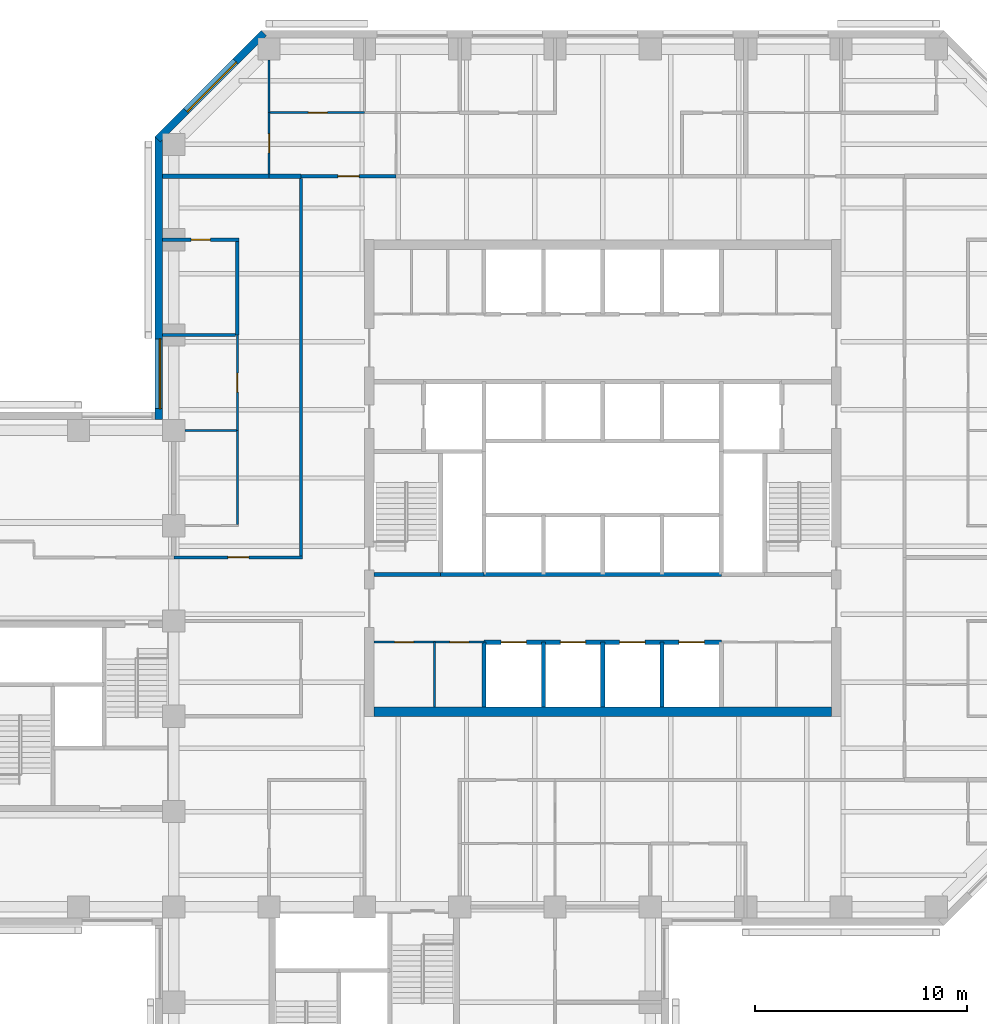
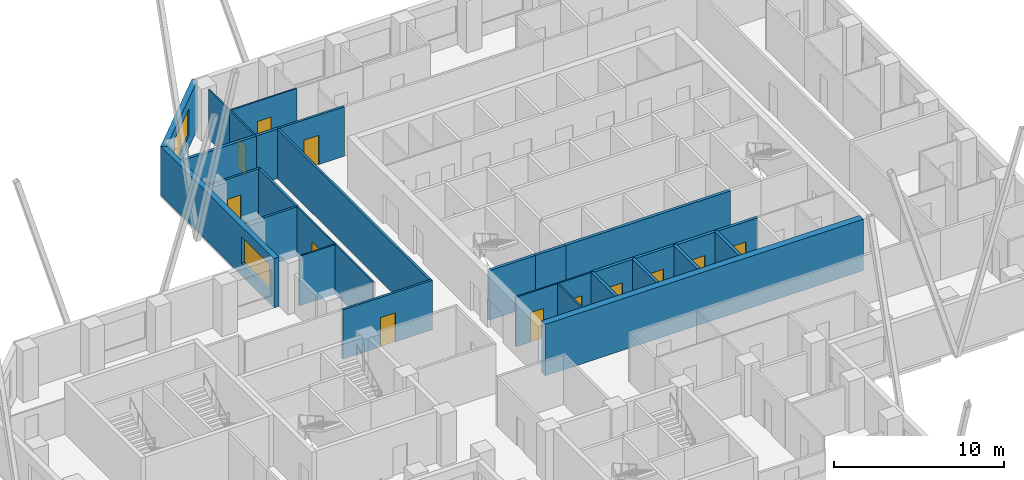
# One storey, part 6 of 11: 27 walls, 12 doors, 2 windows, 14 openings.
"""IFC4 building model written with IfcOpenShell, lengths in metres."""

import ifcopenshell
import ifcopenshell.guid

model = None  # the IFC model being written
_history = None  # IfcOwnerHistory: only IFC2X3 demands one
_inside = {}  # id of a spatial element -> (the spatial element, [elements in it])
_under = {}  # id of a project, library or spatial element -> (it, [spatial elements below it])
_declared = {}  # id of a project -> (the project, [libraries it declares])
_typed = {}  # id of a type object -> (the type object, [elements of that type])
_made_of = {}  # id of a material, layer set ... -> (it, [elements and type objects made of it])


def new_model(schema):
    """Start an empty IFC model of exactly this schema.

    Asked for "IFC4X3", IfcOpenShell would pick the latest addendum, in which some entities
    have other attributes; the version numbers below select the first issue.
    IFC2X3 requires an IfcOwnerHistory on every rooted entity: one is made here for all.
    """
    global model, _history
    if schema == "IFC4X3":
        model = ifcopenshell.file(schema_version=(4, 3, 0, 0))
    else:
        model = ifcopenshell.file(schema=schema)
    _inside.clear()
    _under.clear()
    _declared.clear()
    _typed.clear()
    _made_of.clear()
    _history = None
    if model.schema == "IFC2X3":
        org = make("IfcOrganization", Name="unknown")
        user = make(
            "IfcPersonAndOrganization",
            ThePerson=make("IfcPerson", FamilyName="unknown"),
            TheOrganization=org,
        )
        app = make(
            "IfcApplication",
            ApplicationDeveloper=org,
            Version="unknown",
            ApplicationFullName="unknown",
            ApplicationIdentifier="unknown",
        )
        _history = make(
            "IfcOwnerHistory",
            OwningUser=user,
            OwningApplication=app,
            ChangeAction="ADDED",
            CreationDate=0,
        )
    return model


def make(cls, **values):
    """One entity of the class cls with the attributes given. An attribute that is None is left unset."""
    return model.create_entity(
        cls, **{name: value for name, value in values.items() if value is not None}
    )


def rooted(cls, **values):
    """An entity with a GlobalId (a new one), such as an element, a storey or a relation."""
    return make(cls, GlobalId=ifcopenshell.guid.new(), OwnerHistory=_history, **values)


def si_unit(unit_type, name, prefix=None):
    """IfcSIUnit, for example si_unit("LENGTHUNIT", "METRE", prefix="MILLI")."""
    return make("IfcSIUnit", UnitType=unit_type, Prefix=prefix, Name=name)


def assignment(units):
    """IfcUnitAssignment: the units of a project."""
    return None if units is None else make("IfcUnitAssignment", Units=units)


def point(xyz):
    """IfcCartesianPoint."""
    return None if xyz is None else make("IfcCartesianPoint", Coordinates=xyz)


def direction(xyz):
    """IfcDirection."""
    return None if xyz is None else make("IfcDirection", DirectionRatios=xyz)


def frame(location, z_axis=None, x_axis=None):
    """IfcAxis2Placement3D, a coordinate frame: its origin and axes. An axis left out is left unset."""
    return make(
        "IfcAxis2Placement3D",
        Location=point(location),
        Axis=direction(z_axis),
        RefDirection=direction(x_axis),
    )


def frame_2d(location, x_axis=None):
    """IfcAxis2Placement2D, a coordinate frame in the plane: its origin and x axis."""
    return make(
        "IfcAxis2Placement2D", Location=point(location), RefDirection=direction(x_axis)
    )


def origin():
    """The frame at (0, 0, 0) with its axes left unset."""
    return frame((0.0, 0.0, 0.0))


def place(relative_to, where):
    """IfcLocalPlacement: puts the frame where relative to a parent placement (None: the world)."""
    return make(
        "IfcLocalPlacement", PlacementRelTo=relative_to, RelativePlacement=where
    )


def context(
    kind, dimensions, precision=None, world=None, true_north=None, identifier=None
):
    """IfcGeometricRepresentationContext, for example the 3D "Model" context."""
    return make(
        "IfcGeometricRepresentationContext",
        ContextIdentifier=identifier,
        ContextType=kind,
        CoordinateSpaceDimension=dimensions,
        Precision=precision,
        WorldCoordinateSystem=world,
        TrueNorth=true_north,
    )


def subcontext(parent, identifier, kind, view, scale=None):
    """IfcGeometricRepresentationSubContext, for example "Body" below "Model"."""
    return make(
        "IfcGeometricRepresentationSubContext",
        ContextIdentifier=identifier,
        ContextType=kind,
        ParentContext=parent,
        TargetScale=scale,
        TargetView=view,
    )


def project(units=None, contexts=None):
    """IfcProject with its units and contexts."""
    return rooted(
        "IfcProject",
        Name="project",
        RepresentationContexts=contexts,
        UnitsInContext=assignment(units),
    )


def spatial(cls, under=None, at=None, **own):
    """A site, building, storey or space (cls), placed at a placement, below another one or the project."""
    s = rooted(cls, ObjectPlacement=at, **own)
    if under is not None:
        _under.setdefault(under.id(), (under, []))[1].append(s)
    return s


def profile(cls, at=None, kind="AREA", **sizes):
    """A parametric profile (cls). Its sizes go by their IFC names, for example OverallWidth=200.0."""
    return make(cls, ProfileType=kind, Position=at, **sizes)


def rectangle(**sizes):
    """IfcRectangleProfileDef."""
    return profile("IfcRectangleProfileDef", **sizes)


def extrude(swept, where, along, depth):
    """IfcExtrudedAreaSolid: the profile swept, set in the frame where, extruded along a direction by depth."""
    return make(
        "IfcExtrudedAreaSolid",
        SweptArea=swept,
        Position=where,
        ExtrudedDirection=direction(along),
        Depth=depth,
    )


def shape(context_of_items, identifier, shape_type, items):
    """IfcShapeRepresentation: the items that make up one representation, for example the "Body"."""
    return make(
        "IfcShapeRepresentation",
        ContextOfItems=context_of_items,
        RepresentationIdentifier=identifier,
        RepresentationType=shape_type,
        Items=items,
    )


def material(Name=None, Category=None):
    """IfcMaterial."""
    return make("IfcMaterial", Name=Name, Category=Category)


def layer(
    of_material, thickness, ventilated=None, Name=None, Category=None, Priority=None
):
    """IfcMaterialLayer: one layer of a wall or slab, of a material (None: an air gap)."""
    return make(
        "IfcMaterialLayer",
        Material=of_material,
        LayerThickness=thickness,
        IsVentilated=ventilated,
        Name=Name,
        Category=Category,
        Priority=Priority,
    )


def layer_set(layers, Name=None):
    """IfcMaterialLayerSet."""
    return make("IfcMaterialLayerSet", MaterialLayers=layers, LayerSetName=Name)


def constituent(of_material, Name=None, Category=None, fraction=None):
    """IfcMaterialConstituent: one of the materials an element consists of."""
    return make(
        "IfcMaterialConstituent",
        Name=Name,
        Material=of_material,
        Fraction=fraction,
        Category=Category,
    )


def constituent_set(constituents=None, Name=None):
    """IfcMaterialConstituentSet."""
    return make(
        "IfcMaterialConstituentSet", Name=Name, MaterialConstituents=constituents
    )


def made_of(thing, what):
    """Note that an element or type object is made of a material, layer set ...; save() writes the relation."""
    if what is not None:
        _made_of.setdefault(what.id(), (what, []))[1].append(thing)
    return thing


def type_object(cls, material=None, **own):
    """A type object (cls), such as IfcWallType, which elements share."""
    return made_of(rooted(cls, **own), material)


def element(
    cls,
    number,
    at=None,
    inside=None,
    cuts=None,
    type_object=None,
    material=None,
    context=None,
    identifier="Body",
    shape_type=None,
    held_by="IfcProductDefinitionShape",
    body=None,
    shapes=None,
    **own,
):
    """One element of the class cls, such as IfcWall. Its Tag is "e" and its number.

    at: its placement. inside: the storey or other place that contains it. cuts: it is an
    opening in that element (IfcRelVoidsElement). A single representation is given by context,
    identifier, shape_type and body (its items); several are given by shapes. held_by: the class
    of the entity that holds the representations. save() writes the other relations.
    """
    e = rooted(cls, Tag="e%d" % number, ObjectPlacement=at, **own)
    if body is not None:
        shapes = [shape(context, identifier, shape_type, body)]
    if shapes is not None:
        e.Representation = make(held_by, Representations=shapes)
    if inside is not None:
        _inside.setdefault(inside.id(), (inside, []))[1].append(e)
    if cuts is not None:
        rooted(
            "IfcRelVoidsElement", RelatingBuildingElement=cuts, RelatedOpeningElement=e
        )
    if type_object is not None:
        _typed.setdefault(type_object.id(), (type_object, []))[1].append(e)
    return made_of(e, material)


def fill(opening, filler):
    """IfcRelFillsElement: the door or window that sits in an opening."""
    return rooted(
        "IfcRelFillsElement",
        RelatingOpeningElement=opening,
        RelatedBuildingElement=filler,
    )


def aggregate(whole, parts):
    """IfcRelAggregates: a whole, such as a stair, and the parts it consists of."""
    return rooted("IfcRelAggregates", RelatingObject=whole, RelatedObjects=parts)


def save(model, path):
    """Write the relations noted so far, then the file.

    IfcRelAggregates (storeys below a building ...), IfcRelContainedInSpatialStructure (elements
    in a storey), IfcRelDefinesByType, IfcRelAssociatesMaterial and IfcRelDeclares: one each for
    every whole, place, type object, material and project.
    """
    for whole, parts in _under.values():
        aggregate(whole, parts)
    for where, things in _inside.values():
        rooted(
            "IfcRelContainedInSpatialStructure",
            RelatedElements=things,
            RelatingStructure=where,
        )
    for kind, things in _typed.values():
        rooted("IfcRelDefinesByType", RelatedObjects=things, RelatingType=kind)
    for what, things in _made_of.values():
        rooted("IfcRelAssociatesMaterial", RelatedObjects=things, RelatingMaterial=what)
    for by, libraries in _declared.values():
        rooted("IfcRelDeclares", RelatingContext=by, RelatedDefinitions=libraries)
    model.write(path)


model = new_model("IFC4")

# Units and contexts
model_context = context("Model", 3, precision=1e-05, world=origin(), true_north=direction((0.0, 1.0)))
body_context = subcontext(model_context, "Body", "Model", "MODEL_VIEW")
ifc_project = project(units=[si_unit("LENGTHUNIT", "METRE"), si_unit("AREAUNIT", "SQUARE_METRE"), si_unit("VOLUMEUNIT", "CUBIC_METRE"), si_unit("PLANEANGLEUNIT", "RADIAN"), si_unit("MASSUNIT", "GRAM", prefix="KILO")], contexts=[model_context])

# Site, building, storey
site_placement = place(None, origin())
site = spatial("IfcSite", under=ifc_project, at=site_placement, CompositionType="ELEMENT")
building_placement = place(site_placement, origin())
building = spatial("IfcBuilding", under=site, at=building_placement, Name="Quoin Convention Tower", CompositionType="ELEMENT")
storey_placement = place(building_placement, frame((0.0, 0.0, 112.199951171875)))
storey = spatial("IfcBuildingStorey", under=building, at=storey_placement, Name="L29", CompositionType="ELEMENT", Elevation=112.199951171875)

# Wall
ifc_material_1 = material(Name="Plasterboard")
ifc_layer_1 = layer(ifc_material_1, 0.012451171875, Name="Finish")
ifc_material_2 = material(Name="Steel stud framing", Category="steel")
ifc_layer_2 = layer(ifc_material_2, 0.125, Name="Structure")
ifc_layer_3 = layer(ifc_material_1, 0.012451171875, Name="Finish")
ifc_layer_set_1 = layer_set([ifc_layer_1, ifc_layer_2, ifc_layer_3], Name="Steel stud framing")
wall_type_1 = type_object("IfcWallType", Name="Acoustic partition 150", PredefinedType="PARTITIONING", material=ifc_layer_set_1)
wall_1_placement = place(storey_placement, frame((35.47509765625, 67.5, 0.0), z_axis=(0.0, 0.0, 1.0), x_axis=(1.0, 0.0, 0.0)))
element("IfcWall", 1, at=wall_1_placement, inside=storey, type_object=wall_type_1, Name="pw-L29-045", PredefinedType="PARTITIONING", context=body_context, shape_type="SweptSolid", body=[
    extrude(rectangle(XDim=3.449951171875, YDim=0.14990234375, at=frame_2d((1.72509765625, 0.0))), origin(), (0.0, 0.0, 1.0), 3.550048828125),
])

# Wall, opening, door
wall_2_placement = place(storey_placement, frame((35.47509765625, 72.0, 0.0), z_axis=(0.0, 0.0, 1.0), x_axis=(1.0, 0.0, 0.0)))
wall_2 = element("IfcWall", 2, at=wall_2_placement, inside=storey, type_object=wall_type_1, Name="pw-L29-047", PredefinedType="PARTITIONING", context=body_context, shape_type="SweptSolid", body=[
    extrude(rectangle(XDim=3.599853515625, YDim=0.14990234375, at=frame_2d((1.7998046875, 0.0))), origin(), (0.0, 0.0, 1.0), 3.550048828125),
])
opening_1_placement = place(wall_2_placement, frame((1.35009765625, 0.0, 0.0)))
opening_1 = element("IfcOpeningElement", 3, at=opening_1_placement, cuts=wall_2, Name="Opening DOL5-15", PredefinedType="OPENING", context=body_context, shape_type="SweptSolid", body=[
    extrude(rectangle(XDim=0.89990234375, YDim=2.10009765625, at=frame_2d((0.449951171875, 1.050048828125))), frame((0.0, 0.0849609375, 0.0), z_axis=(0.0, -1.0, 0.0), x_axis=(1.0, 0.0, 0.0)), (0.0, 0.0, 1.0), 0.169921875),
])
ifc_material_3 = material(Name="Steel door leaf", Category="steel")
door_type_1 = type_object("IfcDoorType", Name="Office door 900 x 2100", OperationType="SINGLE_SWING_RIGHT", PredefinedType="DOOR", material=ifc_material_3)
door_1_placement = place(opening_1_placement, origin())
door_1 = element("IfcDoor", 4, at=door_1_placement, inside=storey, type_object=door_type_1, Name="dr-L29-41", OperationType="SINGLE_SWING_RIGHT", OverallHeight=2.10009765625, OverallWidth=0.89990234375, PredefinedType="DOOR", context=body_context, shape_type="SweptSolid", body=[
    extrude(rectangle(XDim=0.89990234375, YDim=2.10009765625, at=frame_2d((0.449951171875, 1.050048828125))), frame((0.0, 0.02490234375, 0.0), z_axis=(0.0, -1.0, 0.0), x_axis=(1.0, 0.0, 0.0)), (0.0, 0.0, 1.0), 0.050048828125),
])
fill(opening_1, door_1)

# Wall
wall_3_placement = place(storey_placement, frame((39.0, 67.5, 0.0), z_axis=(0.0, 0.0, 1.0), x_axis=(0.0, 1.0, 0.0)))
element("IfcWall", 5, at=wall_3_placement, inside=storey, type_object=wall_type_1, Name="pw-L29-108", PredefinedType="PARTITIONING", context=body_context, shape_type="SweptSolid", body=[
    extrude(rectangle(XDim=4.425048828125, YDim=0.14990234375, at=frame_2d((2.21240234375, 0.0))), origin(), (0.0, 0.0, 1.0), 3.550048828125),
])

# Wall, opening, window
ifc_material_4 = material(Name="Brick masonry", Category="masonry")
ifc_layer_4 = layer(ifc_material_4, 0.35009765625)
ifc_layer_set_2 = layer_set([ifc_layer_4], Name="Brick masonry")
wall_type_2 = type_object("IfcWallType", Name="Brick facade wall", PredefinedType="STANDARD", material=ifc_layer_set_2)
wall_4_placement = place(storey_placement, frame((40.26123046875, 81.751220703125, 0.0), z_axis=(0.0, 0.0, 1.0), x_axis=(-0.707106781187, -0.707106781187, 0.0)))
wall_4 = element("IfcWall", 6, at=wall_4_placement, inside=storey, type_object=wall_type_2, Name="fw-L29-40500_81000", PredefinedType="STANDARD", context=body_context, shape_type="SweptSolid", body=[
    extrude(rectangle(XDim=7.088623046875, YDim=0.35009765625, at=frame_2d((3.54443359375, 0.0))), origin(), (0.0, 0.0, 1.0), 3.525146484375),
])
opening_2_placement = place(wall_4_placement, frame((1.894287109375, 0.0, 0.89990234375)))
opening_2 = element("IfcOpeningElement", 7, at=opening_2_placement, cuts=wall_4, Name="Opening W-02", PredefinedType="OPENING", context=body_context, shape_type="SweptSolid", body=[
    extrude(rectangle(XDim=3.300048828125, YDim=1.89990234375, at=frame_2d((1.64990234375, 0.949951171875))), frame((0.0, 0.18505859375, 0.0), z_axis=(0.0, -1.0, 0.0), x_axis=(1.0, 0.0, 0.0)), (0.0, 0.0, 1.0), 0.3701171875),
])
ifc_material_5 = material(Name="Aluminium", Category="aluminium")
ifc_constituent_1 = constituent(ifc_material_5, Name="Frame")
ifc_material_6 = material(Name="Insulated glass", Category="glass")
ifc_constituent_2 = constituent(ifc_material_6, Name="Glazing")
ifc_constituent_set = constituent_set(constituents=[ifc_constituent_1, ifc_constituent_2], Name="Aluminium")
window_type = type_object("IfcWindowType", Name="Office window", PartitioningType="DOUBLE_PANEL_VERTICAL", PredefinedType="WINDOW", material=ifc_constituent_set)
window_1_placement = place(opening_2_placement, origin())
window_1 = element("IfcWindow", 8, at=window_1_placement, inside=storey, type_object=window_type, Name="win-L29-37755_79245", OverallHeight=1.89990234375, OverallWidth=3.300048828125, PartitioningType="SINGLE_PANEL", PredefinedType="WINDOW", context=body_context, shape_type="SweptSolid", body=[
    extrude(rectangle(XDim=3.300048828125, YDim=1.89990234375, at=frame_2d((1.64990234375, 0.949951171875))), frame((0.0, 0.0849609375, 0.0), z_axis=(0.0, -1.0, 0.0), x_axis=(1.0, 0.0, 0.0)), (0.0, 0.0, 1.0), 0.06005859375),
])
fill(opening_2, window_1)

wall_5_placement = place(storey_placement, frame((35.300048828125, 76.8623046875, 0.0), z_axis=(0.0, 0.0, 1.0), x_axis=(0.0, -1.0, 0.0)))
wall_5 = element("IfcWall", 9, at=wall_5_placement, inside=storey, type_object=wall_type_2, Name="fw-L29-36000_76500", PredefinedType="STANDARD", context=body_context, shape_type="SweptSolid", body=[
    extrude(rectangle(XDim=13.33740234375, YDim=0.35009765625, at=frame_2d((6.668701171875, 0.0))), origin(), (0.0, 0.0, 1.0), 3.525146484375),
])
opening_3_placement = place(wall_5_placement, frame((9.537353515625, 0.0, 0.89990234375)))
opening_3 = element("IfcOpeningElement", 10, at=opening_3_placement, cuts=wall_5, Name="Opening W-02", PredefinedType="OPENING", context=body_context, shape_type="SweptSolid", body=[
    extrude(rectangle(XDim=3.300048828125, YDim=1.89990234375, at=frame_2d((1.64990234375, 0.949951171875))), frame((0.0, 0.18505859375, 0.0), z_axis=(0.0, -1.0, 0.0), x_axis=(1.0, 0.0, 0.0)), (0.0, 0.0, 1.0), 0.3701171875),
])
window_2_placement = place(opening_3_placement, origin())
window_2 = element("IfcWindow", 11, at=window_2_placement, inside=storey, type_object=window_type, Name="win-L29-35300_65250", OverallHeight=1.89990234375, OverallWidth=3.300048828125, PartitioningType="SINGLE_PANEL", PredefinedType="WINDOW", context=body_context, shape_type="SweptSolid", body=[
    extrude(rectangle(XDim=3.300048828125, YDim=1.89990234375, at=frame_2d((1.64990234375, 0.949951171875))), frame((0.0, 0.0849609375, 0.0), z_axis=(0.0, -1.0, 0.0), x_axis=(1.0, 0.0, 0.0)), (0.0, 0.0, 1.0), 0.06005859375),
])
fill(opening_3, window_2)

# Wall, openings, doors
ifc_layer_5 = layer(ifc_material_1, 0.012451171875, Name="Finish")
ifc_layer_6 = layer(ifc_material_2, 0.074951171875, Name="Structure")
ifc_layer_7 = layer(ifc_material_1, 0.012451171875, Name="Finish")
ifc_layer_set_3 = layer_set([ifc_layer_5, ifc_layer_6, ifc_layer_7], Name="Steel stud framing")
wall_type_3 = type_object("IfcWallType", Name="Core partition wall", PredefinedType="PARTITIONING", material=ifc_layer_set_3)
wall_6_placement = place(storey_placement, frame((45.449951171875, 53.0, 0.0), z_axis=(0.0, 0.0, 1.0), x_axis=(1.0, 0.0, 0.0)))
wall_6 = element("IfcWall", 12, at=wall_6_placement, inside=storey, type_object=wall_type_3, Name="cr-C1-L29-h3500_450", PredefinedType="PARTITIONING", context=body_context, shape_type="SweptSolid", body=[
    extrude(rectangle(XDim=5.199951171875, YDim=0.10009765625, at=frame_2d((2.60009765625, 0.0))), origin(), (0.0, 0.0, 1.0), 3.550048828125),
])
opening_4_placement = place(wall_6_placement, frame((0.97998046875, 0.0, 0.0)))
opening_4 = element("IfcOpeningElement", 13, at=opening_4_placement, cuts=wall_6, Name="Opening DCV4-34", PredefinedType="OPENING", context=body_context, shape_type="SweptSolid", body=[
    extrude(rectangle(XDim=0.89990234375, YDim=2.10009765625, at=frame_2d((0.449951171875, 1.050048828125))), frame((0.0, 0.06005859375, 0.0), z_axis=(0.0, -1.0, 0.0), x_axis=(1.0, 0.0, 0.0)), (0.0, 0.0, 1.0), 0.1201171875),
])
opening_5_placement = place(wall_6_placement, frame((3.580078125, 0.0, 0.0)))
opening_5 = element("IfcOpeningElement", 14, at=opening_5_placement, cuts=wall_6, Name="Opening DCV4-35", PredefinedType="OPENING", context=body_context, shape_type="SweptSolid", body=[
    extrude(rectangle(XDim=0.89990234375, YDim=2.10009765625, at=frame_2d((0.449951171875, 1.050048828125))), frame((0.0, 0.06005859375, 0.0), z_axis=(0.0, -1.0, 0.0), x_axis=(1.0, 0.0, 0.0)), (0.0, 0.0, 1.0), 0.1201171875),
])
door_type_2 = type_object("IfcDoorType", Name="Core room door 900 x 2100", OperationType="SINGLE_SWING_LEFT", PredefinedType="DOOR", material=ifc_material_3)
door_2_placement = place(opening_4_placement, frame((0.89990234375, 0.0, 0.0), z_axis=(0.0, 0.0, 1.0), x_axis=(-1.0, 0.0, 0.0)))
door_2 = element("IfcDoor", 15, at=door_2_placement, inside=storey, type_object=door_type_2, Name="cd-C1-L29-CSW0-lobA-CD2914", OperationType="SINGLE_SWING_LEFT", OverallHeight=2.10009765625, OverallWidth=0.89990234375, PredefinedType="DOOR", context=body_context, shape_type="SweptSolid", body=[
    extrude(rectangle(XDim=0.89990234375, YDim=2.10009765625, at=frame_2d((0.449951171875, 1.050048828125))), frame((0.0, 0.02490234375, 0.0), z_axis=(0.0, -1.0, 0.0), x_axis=(1.0, 0.0, 0.0)), (0.0, 0.0, 1.0), 0.050048828125),
])
fill(opening_4, door_2)
door_3_placement = place(opening_5_placement, frame((0.89990234375, 0.0, 0.0), z_axis=(0.0, 0.0, 1.0), x_axis=(-1.0, 0.0, 0.0)))
door_3 = element("IfcDoor", 16, at=door_3_placement, inside=storey, type_object=door_type_2, Name="cd-C1-L29-CSW1-lobA-CD2915", OperationType="SINGLE_SWING_LEFT", OverallHeight=2.10009765625, OverallWidth=0.89990234375, PredefinedType="DOOR", context=body_context, shape_type="SweptSolid", body=[
    extrude(rectangle(XDim=0.89990234375, YDim=2.10009765625, at=frame_2d((0.449951171875, 1.050048828125))), frame((0.0, 0.02490234375, 0.0), z_axis=(0.0, -1.0, 0.0), x_axis=(1.0, 0.0, 0.0)), (0.0, 0.0, 1.0), 0.050048828125),
])
fill(opening_5, door_3)

# Wall
wall_7_placement = place(storey_placement, frame((48.31005859375, 49.949951171875, 0.0), z_axis=(0.0, 0.0, 1.0), x_axis=(0.0, 1.0, 0.0)))
element("IfcWall", 17, at=wall_7_placement, inside=storey, type_object=wall_type_3, Name="cr-C1-L29-v3310_450", PredefinedType="PARTITIONING", context=body_context, shape_type="SweptSolid", body=[
    extrude(rectangle(XDim=3.050048828125, YDim=0.10009765625, at=frame_2d((1.52490234375, 0.0))), origin(), (0.0, 0.0, 1.0), 3.550048828125),
])

# Wall, openings, doors
ifc_material_7 = material(Name="Concrete C50", Category="concrete")
ifc_layer_8 = layer(ifc_material_7, 0.199951171875)
ifc_layer_set_4 = layer_set([ifc_layer_8], Name="Concrete C50")
wall_type_4 = type_object("IfcWallType", Name="Core shaft wall", PredefinedType="SOLIDWALL", material=ifc_layer_set_4)
wall_8_placement = place(storey_placement, frame((50.64990234375, 53.0, 0.0), z_axis=(0.0, 0.0, 1.0), x_axis=(1.0, 0.0, 0.0)))
wall_8 = element("IfcWall", 18, at=wall_8_placement, inside=storey, type_object=wall_type_4, Name="cr-C1-L29-h3500_5650", PredefinedType="SOLIDWALL", context=body_context, shape_type="SweptSolid", body=[
    extrude(rectangle(XDim=11.2001953125, YDim=0.199951171875, at=frame_2d((5.60009765625, 0.0))), origin(), (0.0, 0.0, 1.0), 3.550048828125),
])
opening_6_placement = place(wall_8_placement, frame((0.800048828125, 0.0, 0.0)))
opening_6 = element("IfcOpeningElement", 19, at=opening_6_placement, cuts=wall_8, Name="Opening LDL1", PredefinedType="OPENING", context=body_context, shape_type="SweptSolid", body=[
    extrude(rectangle(XDim=1.199951171875, YDim=2.10009765625, at=frame_2d((0.60009765625, 1.050048828125))), frame((0.0, 0.10986328125, 0.0), z_axis=(0.0, -1.0, 0.0), x_axis=(1.0, 0.0, 0.0)), (0.0, 0.0, 1.0), 0.219970703125),
])
opening_7_placement = place(wall_8_placement, frame((3.60009765625, 0.0, 0.0)))
opening_7 = element("IfcOpeningElement", 20, at=opening_7_placement, cuts=wall_8, Name="Opening LDL2", PredefinedType="OPENING", context=body_context, shape_type="SweptSolid", body=[
    extrude(rectangle(XDim=1.199951171875, YDim=2.10009765625, at=frame_2d((0.60009765625, 1.050048828125))), frame((0.0, 0.10986328125, 0.0), z_axis=(0.0, -1.0, 0.0), x_axis=(1.0, 0.0, 0.0)), (0.0, 0.0, 1.0), 0.219970703125),
])
opening_8_placement = place(wall_8_placement, frame((6.39990234375, 0.0, 0.0)))
opening_8 = element("IfcOpeningElement", 21, at=opening_8_placement, cuts=wall_8, Name="Opening LDL3", PredefinedType="OPENING", context=body_context, shape_type="SweptSolid", body=[
    extrude(rectangle(XDim=1.199951171875, YDim=2.10009765625, at=frame_2d((0.60009765625, 1.050048828125))), frame((0.0, 0.10986328125, 0.0), z_axis=(0.0, -1.0, 0.0), x_axis=(1.0, 0.0, 0.0)), (0.0, 0.0, 1.0), 0.219970703125),
])
opening_9_placement = place(wall_8_placement, frame((9.199951171875, 0.0, 0.0)))
opening_9 = element("IfcOpeningElement", 22, at=opening_9_placement, cuts=wall_8, Name="Opening LDL4", PredefinedType="OPENING", context=body_context, shape_type="SweptSolid", body=[
    extrude(rectangle(XDim=1.199951171875, YDim=2.10009765625, at=frame_2d((0.60009765625, 1.050048828125))), frame((0.0, 0.10986328125, 0.0), z_axis=(0.0, -1.0, 0.0), x_axis=(1.0, 0.0, 0.0)), (0.0, 0.0, 1.0), 0.219970703125),
])
door_type_3 = type_object("IfcDoorType", Name="Lift landing door 1200 x 2100", OperationType="DOUBLE_DOOR_SLIDING", PredefinedType="DOOR", material=ifc_material_3)
door_4_placement = place(opening_6_placement, origin())
door_4 = element("IfcDoor", 23, at=door_4_placement, inside=storey, type_object=door_type_3, Name="cd-C1-L29-R10-lobA-LDL1", OperationType="DOUBLE_DOOR_SLIDING", OverallHeight=2.10009765625, OverallWidth=1.199951171875, PredefinedType="DOOR", context=body_context, shape_type="SweptSolid", body=[
    extrude(rectangle(XDim=1.199951171875, YDim=2.10009765625, at=frame_2d((0.60009765625, 1.050048828125))), frame((0.0, 0.02490234375, 0.0), z_axis=(0.0, -1.0, 0.0), x_axis=(1.0, 0.0, 0.0)), (0.0, 0.0, 1.0), 0.050048828125),
])
fill(opening_6, door_4)
door_5_placement = place(opening_7_placement, origin())
door_5 = element("IfcDoor", 24, at=door_5_placement, inside=storey, type_object=door_type_3, Name="cd-C1-L29-R11-lobA-LDL2", OperationType="DOUBLE_DOOR_SLIDING", OverallHeight=2.10009765625, OverallWidth=1.199951171875, PredefinedType="DOOR", context=body_context, shape_type="SweptSolid", body=[
    extrude(rectangle(XDim=1.199951171875, YDim=2.10009765625, at=frame_2d((0.60009765625, 1.050048828125))), frame((0.0, 0.02490234375, 0.0), z_axis=(0.0, -1.0, 0.0), x_axis=(1.0, 0.0, 0.0)), (0.0, 0.0, 1.0), 0.050048828125),
])
fill(opening_7, door_5)
door_6_placement = place(opening_8_placement, origin())
door_6 = element("IfcDoor", 25, at=door_6_placement, inside=storey, type_object=door_type_3, Name="cd-C1-L29-R12-lobA-LDL3", OperationType="DOUBLE_DOOR_SLIDING", OverallHeight=2.10009765625, OverallWidth=1.199951171875, PredefinedType="DOOR", context=body_context, shape_type="SweptSolid", body=[
    extrude(rectangle(XDim=1.199951171875, YDim=2.10009765625, at=frame_2d((0.60009765625, 1.050048828125))), frame((0.0, 0.02490234375, 0.0), z_axis=(0.0, -1.0, 0.0), x_axis=(1.0, 0.0, 0.0)), (0.0, 0.0, 1.0), 0.050048828125),
])
fill(opening_8, door_6)
door_7_placement = place(opening_9_placement, origin())
door_7 = element("IfcDoor", 26, at=door_7_placement, inside=storey, type_object=door_type_3, Name="cd-C1-L29-R13-lobA-LDL4", OperationType="DOUBLE_DOOR_SLIDING", OverallHeight=2.10009765625, OverallWidth=1.199951171875, PredefinedType="DOOR", context=body_context, shape_type="SweptSolid", body=[
    extrude(rectangle(XDim=1.199951171875, YDim=2.10009765625, at=frame_2d((0.60009765625, 1.050048828125))), frame((0.0, 0.02490234375, 0.0), z_axis=(0.0, -1.0, 0.0), x_axis=(1.0, 0.0, 0.0)), (0.0, 0.0, 1.0), 0.050048828125),
])
fill(opening_9, door_7)

# Walls
wall_9_placement = place(storey_placement, frame((48.60009765625, 56.199951171875, 0.0), z_axis=(0.0, 0.0, 1.0), x_axis=(1.0, 0.0, 0.0)))
element("IfcWall", 27, at=wall_9_placement, inside=storey, type_object=wall_type_4, Name="cr-C1-L29-h6700_3600", PredefinedType="SOLIDWALL", context=body_context, shape_type="SweptSolid", body=[
    extrude(rectangle(XDim=2.0498046875, YDim=0.199951171875, at=frame_2d((1.02490234375, 0.0))), origin(), (0.0, 0.0, 1.0), 3.550048828125),
])
wall_10_placement = place(storey_placement, frame((45.449951171875, 56.199951171875, 0.0), z_axis=(0.0, 0.0, 1.0), x_axis=(1.0, 0.0, 0.0)))
element("IfcWall", 28, at=wall_10_placement, inside=storey, type_object=wall_type_4, Name="cr-C1-L29-h6700_450", PredefinedType="SOLIDWALL", context=body_context, shape_type="SweptSolid", body=[
    extrude(rectangle(XDim=3.150146484375, YDim=0.199951171875, at=frame_2d((1.5751953125, 0.0))), origin(), (0.0, 0.0, 1.0), 3.550048828125),
])
wall_11_placement = place(storey_placement, frame((50.64990234375, 56.199951171875, 0.0), z_axis=(0.0, 0.0, 1.0), x_axis=(1.0, 0.0, 0.0)))
element("IfcWall", 29, at=wall_11_placement, inside=storey, type_object=wall_type_4, Name="cr-C1-L29-h6700_5650", PredefinedType="SOLIDWALL", context=body_context, shape_type="SweptSolid", body=[
    extrude(rectangle(XDim=11.2001953125, YDim=0.199951171875, at=frame_2d((5.60009765625, 0.0))), origin(), (0.0, 0.0, 1.0), 3.550048828125),
])
for number, where, z_axis, x_axis, name in (
    (30, (50.64990234375, 49.949951171875, 0.0), (0.0, 0.0, 1.0), (0.0, 1.0, 0.0), "cr-C1-L29-v5650_450"),
    (31, (53.449951171875, 49.949951171875, 0.0), (0.0, 0.0, 1.0), (0.0, 1.0, 0.0), "cr-C1-L29-v8450_450"),
    (32, (56.25, 49.949951171875, 0.0), (0.0, 0.0, 1.0), (0.0, 1.0, 0.0), "cr-C1-L29-v11250_450"),
    (33, (59.050048828125, 49.949951171875, 0.0), (0.0, 0.0, 1.0), (0.0, 1.0, 0.0), "cr-C1-L29-v14050_450"),
):
    element("IfcWall", number, at=place(storey_placement, frame(where, z_axis=z_axis, x_axis=x_axis)), inside=storey, type_object=wall_type_4, Name=name, PredefinedType="SOLIDWALL", context=body_context, shape_type="SweptSolid", body=[
        extrude(rectangle(XDim=3.050048828125, YDim=0.199951171875, at=frame_2d((1.52490234375, 0.0))), origin(), (0.0, 0.0, 1.0), 3.550048828125),
    ])

# Wall, opening, door
ifc_layer_9 = layer(ifc_material_1, 0.012451171875, Name="Finish")
ifc_layer_10 = layer(ifc_material_2, 0.125, Name="Structure")
ifc_layer_11 = layer(ifc_material_1, 0.012451171875, Name="Finish")
ifc_layer_set_5 = layer_set([ifc_layer_9, ifc_layer_10, ifc_layer_11], Name="Steel stud framing")
wall_type_5 = type_object("IfcWallType", Name="Corridor wall 150", PredefinedType="PARTITIONING", material=ifc_layer_set_5)
wall_12_placement = place(storey_placement, frame((36.0, 57.0, 0.0), z_axis=(0.0, 0.0, 1.0), x_axis=(1.0, 0.0, 0.0)))
wall_12 = element("IfcWall", 34, at=wall_12_placement, inside=storey, type_object=wall_type_5, Name="pw-L29-035", PredefinedType="PARTITIONING", context=body_context, shape_type="SweptSolid", body=[
    extrude(rectangle(XDim=6.074951171875, YDim=0.14990234375, at=frame_2d((3.03759765625, 0.0))), origin(), (0.0, 0.0, 1.0), 3.550048828125),
])
opening_10_placement = place(wall_12_placement, frame((2.550048828125, 0.0, 0.0)))
opening_10 = element("IfcOpeningElement", 35, at=opening_10_placement, cuts=wall_12, Name="Opening DOL5-12", PredefinedType="OPENING", context=body_context, shape_type="SweptSolid", body=[
    extrude(rectangle(XDim=1.0, YDim=2.10009765625, at=frame_2d((0.5, 1.050048828125))), frame((0.0, 0.0849609375, 0.0), z_axis=(0.0, -1.0, 0.0), x_axis=(1.0, 0.0, 0.0)), (0.0, 0.0, 1.0), 0.169921875),
])
door_type_4 = type_object("IfcDoorType", Name="Tenancy entrance door 1000 x 2100", OperationType="DOUBLE_DOOR_SINGLE_SWING", PredefinedType="DOOR", material=ifc_material_3)
door_8_placement = place(opening_10_placement, origin())
door_8 = element("IfcDoor", 36, at=door_8_placement, inside=storey, type_object=door_type_4, Name="dr-L29-38", OperationType="DOUBLE_DOOR_SINGLE_SWING", OverallHeight=2.10009765625, OverallWidth=1.0, PredefinedType="DOOR", context=body_context, shape_type="SweptSolid", body=[
    extrude(rectangle(XDim=1.0, YDim=2.10009765625, at=frame_2d((0.5, 1.050048828125))), frame((0.0, 0.02490234375, 0.0), z_axis=(0.0, -1.0, 0.0), x_axis=(1.0, 0.0, 0.0)), (0.0, 0.0, 1.0), 0.050048828125),
])
fill(opening_10, door_8)

wall_13_placement = place(storey_placement, frame((42.0, 75.0, 0.0), z_axis=(0.0, 0.0, 1.0), x_axis=(1.0, 0.0, 0.0)))
wall_13 = element("IfcWall", 37, at=wall_13_placement, inside=storey, type_object=wall_type_5, Name="pw-L29-051", PredefinedType="PARTITIONING", context=body_context, shape_type="SweptSolid", body=[
    extrude(rectangle(XDim=4.5, YDim=0.14990234375, at=frame_2d((2.25, 0.0))), origin(), (0.0, 0.0, 1.0), 3.550048828125),
])
opening_11_placement = place(wall_13_placement, frame((1.75, 0.0, 0.0)))
opening_11 = element("IfcOpeningElement", 38, at=opening_11_placement, cuts=wall_13, Name="Opening DOL5-17", PredefinedType="OPENING", context=body_context, shape_type="SweptSolid", body=[
    extrude(rectangle(XDim=1.0, YDim=2.10009765625, at=frame_2d((0.5, 1.050048828125))), frame((0.0, 0.0849609375, 0.0), z_axis=(0.0, -1.0, 0.0), x_axis=(1.0, 0.0, 0.0)), (0.0, 0.0, 1.0), 0.169921875),
])
door_9_placement = place(opening_11_placement, origin())
door_9 = element("IfcDoor", 39, at=door_9_placement, inside=storey, type_object=door_type_4, Name="dr-L29-31", OperationType="DOUBLE_DOOR_SINGLE_SWING", OverallHeight=2.10009765625, OverallWidth=1.0, PredefinedType="DOOR", context=body_context, shape_type="SweptSolid", body=[
    extrude(rectangle(XDim=1.0, YDim=2.10009765625, at=frame_2d((0.5, 1.050048828125))), frame((0.0, 0.02490234375, 0.0), z_axis=(0.0, -1.0, 0.0), x_axis=(1.0, 0.0, 0.0)), (0.0, 0.0, 1.0), 0.050048828125),
])
fill(opening_11, door_9)

# Walls
wall_14_placement = place(storey_placement, frame((42.0, 57.074951171875, 0.0), z_axis=(0.0, 0.0, 1.0), x_axis=(0.0, 1.0, 0.0)))
element("IfcWall", 40, at=wall_14_placement, inside=storey, type_object=wall_type_5, Name="pw-L29-097", PredefinedType="PARTITIONING", context=body_context, shape_type="SweptSolid", body=[
    extrude(rectangle(XDim=17.824951171875, YDim=0.14990234375, at=frame_2d((8.91259765625, 0.0))), origin(), (0.0, 0.0, 1.0), 3.550048828125),
])
ifc_material_8 = material(Name="Concrete C65", Category="concrete")
ifc_layer_12 = layer(ifc_material_8, 0.449951171875)
ifc_layer_set_6 = layer_set([ifc_layer_12], Name="Concrete C65")
wall_type_6 = type_object("IfcWallType", Name="RC CORE WALL 450 C65", PredefinedType="SHEAR", material=ifc_layer_set_6)
wall_15_placement = place(storey_placement, frame((45.449951171875, 49.72509765625, 0.0), z_axis=(0.0, 0.0, 1.0), x_axis=(1.0, 0.0, 0.0)))
element("IfcWall", 41, at=wall_15_placement, inside=storey, type_object=wall_type_6, Name="cwl-C1-L29-S", PredefinedType="SHEAR", context=body_context, shape_type="SweptSolid", body=[
    extrude(rectangle(XDim=21.60009765625, YDim=0.449951171875, at=frame_2d((10.800048828125, 0.0))), origin(), (0.0, 0.0, 1.0), 3.699951171875),
])
ifc_layer_13 = layer(ifc_material_1, 0.012451171875, Name="Finish")
ifc_layer_14 = layer(ifc_material_2, 0.074951171875, Name="Structure")
ifc_layer_15 = layer(ifc_material_1, 0.012451171875, Name="Finish")
ifc_layer_set_7 = layer_set([ifc_layer_13, ifc_layer_14, ifc_layer_15], Name="Steel stud framing")
wall_type_7 = type_object("IfcWallType", Name="Stud partition 100", PredefinedType="PARTITIONING", material=ifc_layer_set_7)
wall_16_placement = place(storey_placement, frame((36.52490234375, 63.0, 0.0), z_axis=(0.0, 0.0, 1.0), x_axis=(1.0, 0.0, 0.0)))
element("IfcWall", 42, at=wall_16_placement, inside=storey, type_object=wall_type_7, Name="pw-L29-043", PredefinedType="PARTITIONING", context=body_context, shape_type="SweptSolid", body=[
    extrude(rectangle(XDim=2.425048828125, YDim=0.10009765625, at=frame_2d((1.21240234375, 0.0))), origin(), (0.0, 0.0, 1.0), 3.550048828125),
])

# Wall, opening, door
wall_17_placement = place(storey_placement, frame((40.550048828125, 78.0, 0.0), z_axis=(0.0, 0.0, 1.0), x_axis=(1.0, 0.0, 0.0)))
wall_17 = element("IfcWall", 43, at=wall_17_placement, inside=storey, type_object=wall_type_7, Name="pw-L29-056", PredefinedType="PARTITIONING", context=body_context, shape_type="SweptSolid", body=[
    extrude(rectangle(XDim=4.449951171875, YDim=0.10009765625, at=frame_2d((2.22509765625, 0.0))), origin(), (0.0, 0.0, 1.0), 3.550048828125),
])
opening_12_placement = place(wall_17_placement, frame((1.800048828125, 0.0, 0.0)))
opening_12 = element("IfcOpeningElement", 44, at=opening_12_placement, cuts=wall_17, Name="Opening DOL5-19", PredefinedType="OPENING", context=body_context, shape_type="SweptSolid", body=[
    extrude(rectangle(XDim=0.89990234375, YDim=2.10009765625, at=frame_2d((0.449951171875, 1.050048828125))), frame((0.0, 0.06005859375, 0.0), z_axis=(0.0, -1.0, 0.0), x_axis=(1.0, 0.0, 0.0)), (0.0, 0.0, 1.0), 0.1201171875),
])
door_10_placement = place(opening_12_placement, frame((0.89990234375, 0.0, 0.0), z_axis=(0.0, 0.0, 1.0), x_axis=(-1.0, 0.0, 0.0)))
door_10 = element("IfcDoor", 45, at=door_10_placement, inside=storey, type_object=door_type_1, Name="dr-L29-34", OperationType="SINGLE_SWING_LEFT", OverallHeight=2.10009765625, OverallWidth=0.89990234375, PredefinedType="DOOR", context=body_context, shape_type="SweptSolid", body=[
    extrude(rectangle(XDim=0.89990234375, YDim=2.10009765625, at=frame_2d((0.449951171875, 1.050048828125))), frame((0.0, 0.02490234375, 0.0), z_axis=(0.0, -1.0, 0.0), x_axis=(1.0, 0.0, 0.0)), (0.0, 0.0, 1.0), 0.050048828125),
])
fill(opening_12, door_10)

# Wall
wall_18_placement = place(storey_placement, frame((39.0, 58.550048828125, 0.0), z_axis=(0.0, 0.0, 1.0), x_axis=(0.0, 1.0, 0.0)))
element("IfcWall", 46, at=wall_18_placement, inside=storey, type_object=wall_type_7, Name="pw-L29-098", PredefinedType="PARTITIONING", context=body_context, shape_type="SweptSolid", body=[
    extrude(rectangle(XDim=4.449951171875, YDim=0.10009765625, at=frame_2d((2.22509765625, 0.0))), origin(), (0.0, 0.0, 1.0), 3.550048828125),
])

# Wall, opening, door
wall_19_placement = place(storey_placement, frame((39.0, 63.0, 0.0), z_axis=(0.0, 0.0, 1.0), x_axis=(0.0, 1.0, 0.0)))
wall_19 = element("IfcWall", 47, at=wall_19_placement, inside=storey, type_object=wall_type_7, Name="pw-L29-106", PredefinedType="PARTITIONING", context=body_context, shape_type="SweptSolid", body=[
    extrude(rectangle(XDim=4.5, YDim=0.10009765625, at=frame_2d((2.25, 0.0))), origin(), (0.0, 0.0, 1.0), 3.550048828125),
])
opening_13_placement = place(wall_19_placement, frame((1.800048828125, 0.0, 0.0)))
opening_13 = element("IfcOpeningElement", 48, at=opening_13_placement, cuts=wall_19, Name="Opening DOL5-34", PredefinedType="OPENING", context=body_context, shape_type="SweptSolid", body=[
    extrude(rectangle(XDim=0.89990234375, YDim=2.10009765625, at=frame_2d((0.449951171875, 1.050048828125))), frame((0.0, 0.06005859375, 0.0), z_axis=(0.0, -1.0, 0.0), x_axis=(1.0, 0.0, 0.0)), (0.0, 0.0, 1.0), 0.1201171875),
])
door_11_placement = place(opening_13_placement, frame((0.89990234375, 0.0, 0.0), z_axis=(0.0, 0.0, 1.0), x_axis=(-1.0, 0.0, 0.0)))
door_11 = element("IfcDoor", 49, at=door_11_placement, inside=storey, type_object=door_type_1, Name="dr-L29-40", OperationType="SINGLE_SWING_LEFT", OverallHeight=2.10009765625, OverallWidth=0.89990234375, PredefinedType="DOOR", context=body_context, shape_type="SweptSolid", body=[
    extrude(rectangle(XDim=0.89990234375, YDim=2.10009765625, at=frame_2d((0.449951171875, 1.050048828125))), frame((0.0, 0.02490234375, 0.0), z_axis=(0.0, -1.0, 0.0), x_axis=(1.0, 0.0, 0.0)), (0.0, 0.0, 1.0), 0.050048828125),
])
fill(opening_13, door_11)

wall_20_placement = place(storey_placement, frame((40.5, 75.10009765625, 0.0), z_axis=(0.0, 0.0, 1.0), x_axis=(0.0, 1.0, 0.0)))
wall_20 = element("IfcWall", 50, at=wall_20_placement, inside=storey, type_object=wall_type_7, Name="pw-L29-113", PredefinedType="PARTITIONING", context=body_context, shape_type="SweptSolid", body=[
    extrude(rectangle(XDim=2.89990234375, YDim=0.10009765625, at=frame_2d((1.449951171875, 0.0))), origin(), (0.0, 0.0, 1.0), 3.550048828125),
])
opening_14_placement = place(wall_20_placement, frame((1.0, 0.0, 0.0)))
opening_14 = element("IfcOpeningElement", 51, at=opening_14_placement, cuts=wall_20, Name="Opening DOL5-37", PredefinedType="OPENING", context=body_context, shape_type="SweptSolid", body=[
    extrude(rectangle(XDim=0.89990234375, YDim=2.10009765625, at=frame_2d((0.449951171875, 1.050048828125))), frame((0.0, 0.06005859375, 0.0), z_axis=(0.0, -1.0, 0.0), x_axis=(1.0, 0.0, 0.0)), (0.0, 0.0, 1.0), 0.1201171875),
])
door_12_placement = place(opening_14_placement, origin())
door_12 = element("IfcDoor", 52, at=door_12_placement, inside=storey, type_object=door_type_1, Name="dr-L29-33", OperationType="SINGLE_SWING_RIGHT", OverallHeight=2.10009765625, OverallWidth=0.89990234375, PredefinedType="DOOR", context=body_context, shape_type="SweptSolid", body=[
    extrude(rectangle(XDim=0.89990234375, YDim=2.10009765625, at=frame_2d((0.449951171875, 1.050048828125))), frame((0.0, 0.02490234375, 0.0), z_axis=(0.0, -1.0, 0.0), x_axis=(1.0, 0.0, 0.0)), (0.0, 0.0, 1.0), 0.050048828125),
])
fill(opening_14, door_12)

# Walls
wall_21_placement = place(storey_placement, frame((40.5, 78.0, 0.0), z_axis=(0.0, 0.0, 1.0), x_axis=(0.0, 1.0, 0.0)))
element("IfcWall", 53, at=wall_21_placement, inside=storey, type_object=wall_type_7, Name="pw-L29-114", PredefinedType="PARTITIONING", context=body_context, shape_type="SweptSolid", body=[
    extrude(rectangle(XDim=2.47509765625, YDim=0.10009765625, at=frame_2d((1.237548828125, 0.0))), origin(), (0.0, 0.0, 1.0), 3.550048828125),
])
ifc_layer_16 = layer(ifc_material_1, 0.012451171875, Name="Finish")
ifc_layer_17 = layer(ifc_material_2, 0.175048828125, Name="Structure")
ifc_layer_18 = layer(ifc_material_1, 0.012451171875, Name="Finish")
ifc_layer_set_8 = layer_set([ifc_layer_16, ifc_layer_17, ifc_layer_18], Name="Steel stud framing")
wall_type_8 = type_object("IfcWallType", Name="Tenancy demising wall 200", PredefinedType="PARTITIONING", material=ifc_layer_set_8)
wall_22_placement = place(storey_placement, frame((35.47509765625, 75.0, 0.0), z_axis=(0.0, 0.0, 1.0), x_axis=(1.0, 0.0, 0.0)))
element("IfcWall", 54, at=wall_22_placement, inside=storey, type_object=wall_type_8, Name="pw-L29-049", PredefinedType="PARTITIONING", context=body_context, shape_type="SweptSolid", body=[
    extrude(rectangle(XDim=5.02490234375, YDim=0.199951171875, at=frame_2d((2.512451171875, 0.0))), origin(), (0.0, 0.0, 1.0), 3.550048828125),
])
wall_23_placement = place(storey_placement, frame((40.5, 75.0, 0.0), z_axis=(0.0, 0.0, 1.0), x_axis=(1.0, 0.0, 0.0)))
element("IfcWall", 55, at=wall_23_placement, inside=storey, type_object=wall_type_8, Name="pw-L29-050", PredefinedType="PARTITIONING", context=body_context, shape_type="SweptSolid", body=[
    extrude(rectangle(XDim=1.5, YDim=0.199951171875, at=frame_2d((0.75, 0.0))), origin(), (0.0, 0.0, 1.0), 3.550048828125),
])

save(model, "model.ifc")
